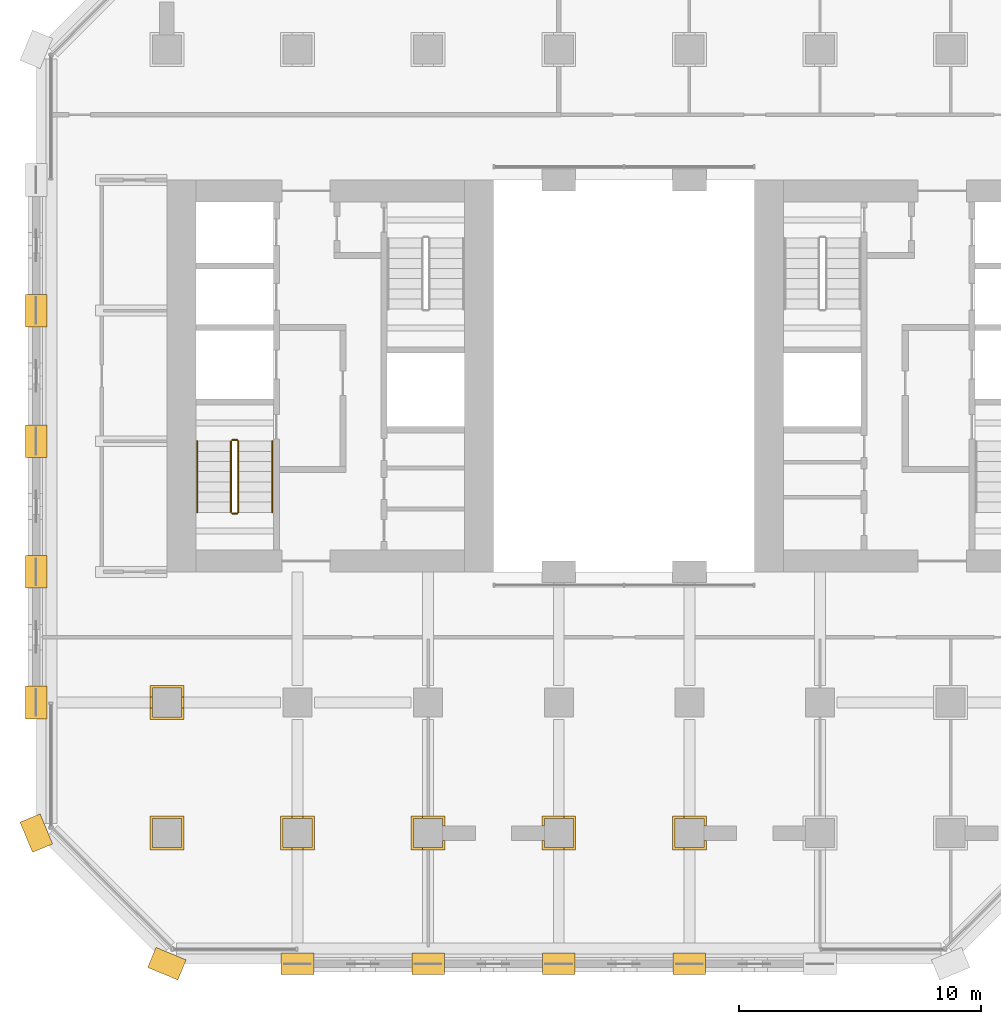
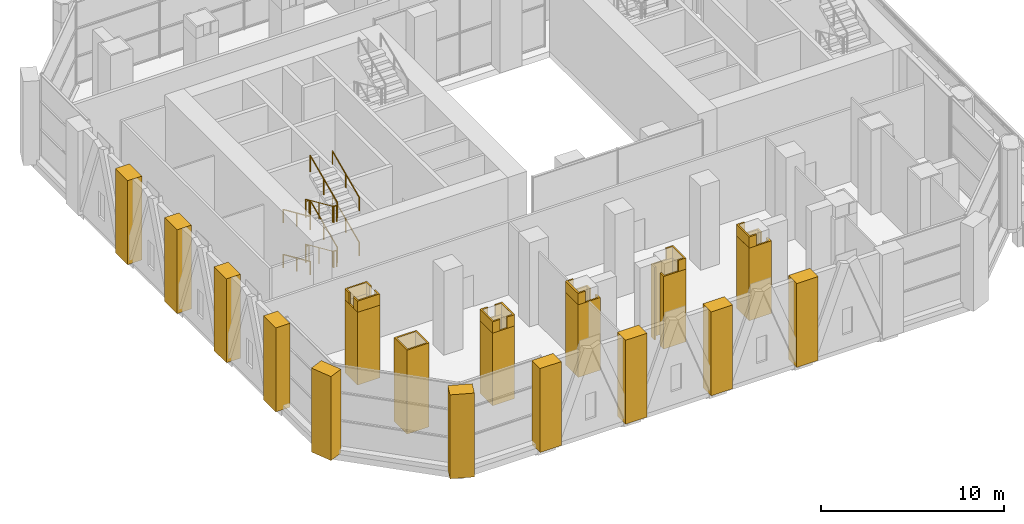
# One storey, part 23 of 34: 23 coverings, 12 railings.
"""IFC4 building model written with IfcOpenShell, lengths in metres."""

from ifc_helpers import new_model, si_unit, direction, frame, frame_2d, origin, origin_2d, place, context, subcontext, project, spatial, polyline, rectangle, circle, outline, extrude, material, layer, layer_set, type_object, element, save


model = new_model("IFC4")

# Units and contexts
model_context = context("Model", 3, precision=1e-05, world=origin(), true_north=direction((0.0, 1.0)))
body_context = subcontext(model_context, "Body", "Model", "MODEL_VIEW")
ifc_project = project(units=[si_unit("LENGTHUNIT", "METRE"), si_unit("AREAUNIT", "SQUARE_METRE"), si_unit("VOLUMEUNIT", "CUBIC_METRE"), si_unit("PLANEANGLEUNIT", "RADIAN"), si_unit("MASSUNIT", "GRAM", prefix="KILO")], contexts=[model_context])

# Site, building, storey
site_placement = place(None, origin())
site = spatial("IfcSite", under=ifc_project, at=site_placement, CompositionType="ELEMENT")
building_placement = place(site_placement, origin())
building = spatial("IfcBuilding", under=site, at=building_placement, Name="Tabaq Tower and Sports Hall", CompositionType="ELEMENT")
storey_placement = place(building_placement, frame((0.0, 0.0, 8.39990234375)))
storey = spatial("IfcBuildingStorey", under=building, at=storey_placement, Name="L01", CompositionType="ELEMENT", Elevation=8.39990234375)

# Coverings
ifc_material_1 = material(Name="Precast concrete C60/75", Category="concrete")
ifc_layer = layer(ifc_material_1, 0.10009765625)
ifc_layer_set = layer_set([ifc_layer], Name="Column cladding 100")
covering_type_1 = type_object("IfcCoveringType", Name="Column cladding 100", PredefinedType="CLADDING", material=ifc_layer_set)
covering_1_placement = place(storey_placement, origin())
element("IfcCovering", 1, at=covering_1_placement, inside=storey, type_object=covering_type_1, Name="Column cladding L01 CC-2B-P", PredefinedType="CLADDING", context=body_context, shape_type="SweptSolid", body=[
    extrude(outline(polyline([(4.7001953125, 6.099609375), (6.099609375, 6.099609375), (6.099609375, 4.7001953125), (4.7001953125, 4.7001953125), (4.7001953125, 6.099609375)]), holes=[polyline([(6.000244140625, 4.7998046875), (6.000244140625, 6.000244140625), (4.7998046875, 6.000244140625), (4.7998046875, 4.7998046875), (6.000244140625, 4.7998046875)])]), origin(), (0.0, 0.0, 1.0), 5.60009765625),
])
covering_2_placement = place(storey_placement, origin())
element("IfcCovering", 2, at=covering_2_placement, inside=storey, type_object=covering_type_1, Name="Column cladding L01 CC-2C-P", PredefinedType="CLADDING", context=body_context, shape_type="SweptSolid", body=[
    extrude(outline(polyline([(4.7001953125, 11.499755859375), (6.099609375, 11.499755859375), (6.099609375, 10.100341796875), (4.7001953125, 10.100341796875), (4.7001953125, 11.499755859375)]), holes=[polyline([(6.000244140625, 10.19970703125), (6.000244140625, 11.400390625), (4.7998046875, 11.400390625), (4.7998046875, 10.19970703125), (6.000244140625, 10.19970703125)])]), origin(), (0.0, 0.0, 1.0), 4.85009765625),
])
covering_3_placement = place(storey_placement, frame((0.0, 0.0, 4.85009765625)))
element("IfcCovering", 3, at=covering_3_placement, inside=storey, type_object=covering_type_1, Name="Column cladding L01 CC-2C-P head", PredefinedType="CLADDING", context=body_context, shape_type="SweptSolid", body=[
    extrude(outline(polyline([(4.79931640625, 10.574462890625), (4.79931640625, 10.199462890625), (6.00048828125, 10.199462890625), (6.00048828125, 10.574462890625), (6.099365234375, 10.574462890625), (6.099365234375, 10.1005859375), (4.70068359375, 10.1005859375), (4.70068359375, 10.574462890625), (4.79931640625, 10.574462890625)])), origin(), (0.0, 0.0, 1.0), 0.75),
])
covering_4_placement = place(storey_placement, frame((0.0, 0.0, 4.85009765625)))
element("IfcCovering", 4, at=covering_4_placement, inside=storey, type_object=covering_type_1, Name="Column cladding L01 CC-2C-P head 2", PredefinedType="CLADDING", context=body_context, shape_type="SweptSolid", body=[
    extrude(outline(polyline([(4.79931640625, 11.025634765625), (4.70068359375, 11.025634765625), (4.70068359375, 11.49951171875), (6.099365234375, 11.49951171875), (6.099365234375, 11.025634765625), (6.00048828125, 11.025634765625), (6.00048828125, 11.400634765625), (4.79931640625, 11.400634765625), (4.79931640625, 11.025634765625)])), origin(), (0.0, 0.0, 1.0), 0.75),
])
covering_5_placement = place(storey_placement, origin())
element("IfcCovering", 5, at=covering_5_placement, inside=storey, type_object=covering_type_1, Name="Column cladding L01 CC-3B-P", PredefinedType="CLADDING", context=body_context, shape_type="SweptSolid", body=[
    extrude(outline(polyline([(10.100341796875, 6.099609375), (11.499755859375, 6.099609375), (11.499755859375, 4.7001953125), (10.100341796875, 4.7001953125), (10.100341796875, 6.099609375)]), holes=[polyline([(11.400390625, 4.7998046875), (11.400390625, 6.000244140625), (10.19970703125, 6.000244140625), (10.19970703125, 4.7998046875), (11.400390625, 4.7998046875)])]), origin(), (0.0, 0.0, 1.0), 4.85009765625),
])
covering_6_placement = place(storey_placement, frame((0.0, 0.0, 4.85009765625)))
element("IfcCovering", 6, at=covering_6_placement, inside=storey, type_object=covering_type_1, Name="Column cladding L01 CC-3B-P head", PredefinedType="CLADDING", context=body_context, shape_type="SweptSolid", body=[
    extrude(outline(polyline([(10.574462890625, 4.79931640625), (10.574462890625, 4.70068359375), (10.1005859375, 4.70068359375), (10.1005859375, 6.099365234375), (10.574462890625, 6.099365234375), (10.574462890625, 6.00048828125), (10.199462890625, 6.00048828125), (10.199462890625, 4.79931640625), (10.574462890625, 4.79931640625)])), origin(), (0.0, 0.0, 1.0), 0.75),
])
covering_7_placement = place(storey_placement, frame((0.0, 0.0, 4.85009765625)))
element("IfcCovering", 7, at=covering_7_placement, inside=storey, type_object=covering_type_1, Name="Column cladding L01 CC-3B-P head 2", PredefinedType="CLADDING", context=body_context, shape_type="SweptSolid", body=[
    extrude(outline(polyline([(11.025634765625, 4.79931640625), (11.400634765625, 4.79931640625), (11.400634765625, 6.00048828125), (11.025634765625, 6.00048828125), (11.025634765625, 6.099365234375), (11.49951171875, 6.099365234375), (11.49951171875, 4.70068359375), (11.025634765625, 4.70068359375), (11.025634765625, 4.79931640625)])), origin(), (0.0, 0.0, 1.0), 0.75),
])
covering_8_placement = place(storey_placement, origin())
element("IfcCovering", 8, at=covering_8_placement, inside=storey, type_object=covering_type_1, Name="Column cladding L01 CC-4B-P", PredefinedType="CLADDING", context=body_context, shape_type="SweptSolid", body=[
    extrude(outline(polyline([(16.899658203125, 6.099609375), (16.899658203125, 5.7001953125), (16.80029296875, 5.7001953125), (16.80029296875, 6.000244140625), (15.599609375, 6.000244140625), (15.599609375, 4.7998046875), (16.80029296875, 4.7998046875), (16.80029296875, 5.099609375), (16.899658203125, 5.099609375), (16.899658203125, 4.7001953125), (15.500244140625, 4.7001953125), (15.500244140625, 6.099609375), (16.899658203125, 6.099609375)])), origin(), (0.0, 0.0, 1.0), 4.85009765625),
])
covering_9_placement = place(storey_placement, frame((0.0, 0.0, 4.85009765625)))
element("IfcCovering", 9, at=covering_9_placement, inside=storey, type_object=covering_type_1, Name="Column cladding L01 CC-4B-P head", PredefinedType="CLADDING", context=body_context, shape_type="SweptSolid", body=[
    extrude(outline(polyline([(15.599365234375, 6.00048828125), (15.599365234375, 4.79931640625), (15.974365234375, 4.79931640625), (15.974365234375, 4.70068359375), (15.50048828125, 4.70068359375), (15.50048828125, 6.099365234375), (15.974365234375, 6.099365234375), (15.974365234375, 6.00048828125), (15.599365234375, 6.00048828125)])), origin(), (0.0, 0.0, 1.0), 0.75),
])
covering_10_placement = place(storey_placement, origin())
element("IfcCovering", 10, at=covering_10_placement, inside=storey, type_object=covering_type_1, Name="Column cladding L01 CC-5B-P", PredefinedType="CLADDING", context=body_context, shape_type="SweptSolid", body=[
    extrude(outline(polyline([(22.2998046875, 6.099609375), (22.2998046875, 4.7001953125), (20.900390625, 4.7001953125), (20.900390625, 5.099609375), (20.999755859375, 5.099609375), (20.999755859375, 4.7998046875), (22.2001953125, 4.7998046875), (22.2001953125, 6.000244140625), (20.999755859375, 6.000244140625), (20.999755859375, 5.7001953125), (20.900390625, 5.7001953125), (20.900390625, 6.099609375), (22.2998046875, 6.099609375)])), origin(), (0.0, 0.0, 1.0), 4.85009765625),
])
covering_11_placement = place(storey_placement, frame((0.0, 0.0, 4.85009765625)))
element("IfcCovering", 11, at=covering_11_placement, inside=storey, type_object=covering_type_1, Name="Column cladding L01 CC-5B-P head", PredefinedType="CLADDING", context=body_context, shape_type="SweptSolid", body=[
    extrude(outline(polyline([(21.82568359375, 4.79931640625), (22.20068359375, 4.79931640625), (22.20068359375, 6.00048828125), (21.82568359375, 6.00048828125), (21.82568359375, 6.099365234375), (22.29931640625, 6.099365234375), (22.29931640625, 4.70068359375), (21.82568359375, 4.70068359375), (21.82568359375, 4.79931640625)])), origin(), (0.0, 0.0, 1.0), 0.75),
])
covering_12_placement = place(storey_placement, origin())
element("IfcCovering", 12, at=covering_12_placement, inside=storey, type_object=covering_type_1, Name="Column cladding L01 CC-6B-P", PredefinedType="CLADDING", context=body_context, shape_type="SweptSolid", body=[
    extrude(outline(polyline([(27.69970703125, 6.099609375), (27.69970703125, 5.7001953125), (27.600341796875, 5.7001953125), (27.600341796875, 6.000244140625), (26.399658203125, 6.000244140625), (26.399658203125, 4.7998046875), (27.600341796875, 4.7998046875), (27.600341796875, 5.099609375), (27.69970703125, 5.099609375), (27.69970703125, 4.7001953125), (26.30029296875, 4.7001953125), (26.30029296875, 6.099609375), (27.69970703125, 6.099609375)])), origin(), (0.0, 0.0, 1.0), 4.85009765625),
])
covering_13_placement = place(storey_placement, frame((0.0, 0.0, 4.85009765625)))
element("IfcCovering", 13, at=covering_13_placement, inside=storey, type_object=covering_type_1, Name="Column cladding L01 CC-6B-P head", PredefinedType="CLADDING", context=body_context, shape_type="SweptSolid", body=[
    extrude(outline(polyline([(26.3994140625, 6.00048828125), (26.3994140625, 4.79931640625), (26.7744140625, 4.79931640625), (26.7744140625, 4.70068359375), (26.300537109375, 4.70068359375), (26.300537109375, 6.099365234375), (26.7744140625, 6.099365234375), (26.7744140625, 6.00048828125), (26.3994140625, 6.00048828125)])), origin(), (0.0, 0.0, 1.0), 0.75),
])
ifc_material_2 = material(Name="White precast concrete C60/75", Category="concrete")
covering_type_2 = type_object("IfcCoveringType", Name="Pier cladding hung 1350x900", PredefinedType="CLADDING", material=ifc_material_2)
for number, where, z_axis, x_axis, name in (
    (14, (-0.25830078125, 6.023681640625, 0.0), (0.0, 0.0, 1.0), (0.382649923473, -0.923893411637, 0.0), "Hung pier cladding 0/1"),
    (15, (0.0, 11.47509765625, 0.0), (0.0, 0.0, 1.0), (0.0, -1.0, 0.0), "Hung pier cladding 0/2"),
    (16, (0.0, 16.875, 0.0), (0.0, 0.0, 1.0), (0.0, -1.0, 0.0), "Hung pier cladding 0/3"),
):
    element("IfcCovering", number, at=place(storey_placement, frame(where, z_axis=z_axis, x_axis=x_axis)), inside=storey, type_object=covering_type_2, Name=name, PredefinedType="CLADDING", context=body_context, shape_type="SweptSolid", body=[
        extrude(rectangle(XDim=1.35009765625, YDim=0.89990234375, at=frame_2d((0.675048828125, 0.0))), origin(), (0.0, 0.0, 1.0), 5.60009765625),
    ])
covering_14_placement = place(storey_placement, frame((0.0, 22.27490234375, 0.0), z_axis=(0.0, 0.0, 1.0), x_axis=(0.0, -1.0, 0.0)))
element("IfcCovering", 17, at=covering_14_placement, inside=storey, type_object=covering_type_2, Name="Hung pier cladding 0/4", PredefinedType="CLADDING", context=body_context, shape_type="SweptSolid", body=[
    extrude(rectangle(XDim=1.349853515625, YDim=0.89990234375, at=frame_2d((0.6748046875, 0.0))), origin(), (0.0, 0.0, 1.0), 5.60009765625),
])
for number, where, z_axis, x_axis, name in (
    (18, (0.0, 27.675048828125, 0.0), (0.0, 0.0, 1.0), (0.0, -1.0, 0.0), "Hung pier cladding 0/5"),
    (19, (4.7763671875, 0.25830078125, 0.0), (0.0, 0.0, 1.0), (0.923893411637, -0.382649923473, 0.0), "Hung pier cladding 1/0"),
    (20, (10.125, 0.0, 0.0), (0.0, 0.0, 1.0), (1.0, 0.0, 0.0), "Hung pier cladding 2/0"),
    (21, (15.52490234375, 0.0, 0.0), (0.0, 0.0, 1.0), (1.0, 0.0, 0.0), "Hung pier cladding 3/0"),
):
    element("IfcCovering", number, at=place(storey_placement, frame(where, z_axis=z_axis, x_axis=x_axis)), inside=storey, type_object=covering_type_2, Name=name, PredefinedType="CLADDING", context=body_context, shape_type="SweptSolid", body=[
        extrude(rectangle(XDim=1.35009765625, YDim=0.89990234375, at=frame_2d((0.675048828125, 0.0))), origin(), (0.0, 0.0, 1.0), 5.60009765625),
    ])
covering_15_placement = place(storey_placement, frame((20.925048828125, 0.0, 0.0), z_axis=(0.0, 0.0, 1.0), x_axis=(1.0, 0.0, 0.0)))
element("IfcCovering", 22, at=covering_15_placement, inside=storey, type_object=covering_type_2, Name="Hung pier cladding 4/0", PredefinedType="CLADDING", context=body_context, shape_type="SweptSolid", body=[
    extrude(rectangle(XDim=1.349853515625, YDim=0.89990234375, at=frame_2d((0.6748046875, 0.0))), origin(), (0.0, 0.0, 1.0), 5.60009765625),
])
covering_16_placement = place(storey_placement, frame((26.324951171875, 0.0, 0.0), z_axis=(0.0, 0.0, 1.0), x_axis=(1.0, 0.0, 0.0)))
element("IfcCovering", 23, at=covering_16_placement, inside=storey, type_object=covering_type_2, Name="Hung pier cladding 5/0", PredefinedType="CLADDING", context=body_context, shape_type="SweptSolid", body=[
    extrude(rectangle(XDim=1.35009765625, YDim=0.89990234375, at=frame_2d((0.675048828125, 0.0))), origin(), (0.0, 0.0, 1.0), 5.60009765625),
])

# Railings
ifc_material_3 = material(Name="Stainless steel", Category="steel")
railing_type_1 = type_object("IfcRailingType", Name="Stair guard", PredefinedType="GUARDRAIL", material=ifc_material_3)
railing_1_placement = place(storey_placement, frame((8.050048828125, 21.60009765625, 0.1875)))
element("IfcRailing", 24, at=railing_1_placement, inside=storey, type_object=railing_type_1, Name="L01 ST1 stair guard 1", PredefinedType="GUARDRAIL", context=body_context, shape_type="SweptSolid", body=[
    extrude(circle(Radius=0.02392578125, at=origin_2d()), frame((0.0, 0.0, 1.076171875), z_axis=(0.0, -0.913147458458, 0.407629389411), x_axis=(1.0, 0.0, 0.0)), (0.0, 0.0, 1.0), 3.2197265625),
    extrude(circle(Radius=0.02099609375, at=origin_2d()), origin(), (0.0, 0.0, 1.0), 1.052001953125),
    extrude(circle(Radius=0.02099609375, at=origin_2d()), frame((0.0, -1.47021484375, 0.65625)), (0.0, 0.0, 1.0), 1.052001953125),
    extrude(circle(Radius=0.02099609375, at=origin_2d()), frame((0.0, -2.940185546875, 1.3125)), (0.0, 0.0, 1.0), 1.052001953125),
])
railing_2_placement = place(storey_placement, frame((8.10009765625, 18.610107421875, 1.5)))
element("IfcRailing", 25, at=railing_2_placement, inside=storey, type_object=railing_type_1, Name="L01 ST1 stair guard 2", PredefinedType="GUARDRAIL", context=body_context, shape_type="SweptSolid", body=[
    extrude(circle(Radius=0.02392578125, at=origin_2d()), frame((0.0, 0.0, 1.076171875), z_axis=(1.0, 0.0, 0.0), x_axis=(0.0, 1.0, 0.0)), (0.0, 0.0, 1.0), 0.199951171875),
    extrude(circle(Radius=0.02099609375, at=origin_2d()), origin(), (0.0, 0.0, 1.0), 1.052001953125),
    extrude(circle(Radius=0.02099609375, at=origin_2d()), frame((0.199951171875, 0.0, 0.0)), (0.0, 0.0, 1.0), 1.052001953125),
])
railing_3_placement = place(storey_placement, frame((8.35009765625, 18.659912109375, 1.6875)))
element("IfcRailing", 26, at=railing_3_placement, inside=storey, type_object=railing_type_1, Name="L01 ST1 stair guard 3", PredefinedType="GUARDRAIL", context=body_context, shape_type="SweptSolid", body=[
    extrude(circle(Radius=0.02392578125, at=origin_2d()), frame((0.0, 0.0, 1.076171875), z_axis=(0.0, 0.913147458458, 0.407629389411), x_axis=(-1.0, 0.0, 0.0)), (0.0, 0.0, 1.0), 3.2197265625),
    extrude(circle(Radius=0.02099609375, at=origin_2d()), origin(), (0.0, 0.0, 1.0), 1.052001953125),
    extrude(circle(Radius=0.02099609375, at=origin_2d()), frame((0.0, 1.47021484375, 0.65625)), (0.0, 0.0, 1.0), 1.052001953125),
    extrude(circle(Radius=0.02099609375, at=origin_2d()), frame((0.0, 2.940185546875, 1.3125)), (0.0, 0.0, 1.0), 1.052001953125),
])
railing_4_placement = place(storey_placement, frame((8.10009765625, 21.64990234375, 3.0)))
element("IfcRailing", 27, at=railing_4_placement, inside=storey, type_object=railing_type_1, Name="L01 ST1 stair guard 4", PredefinedType="GUARDRAIL", context=body_context, shape_type="SweptSolid", body=[
    extrude(circle(Radius=0.02392578125, at=origin_2d()), frame((0.0, 0.0, 1.076171875), z_axis=(1.0, 0.0, 0.0), x_axis=(0.0, 1.0, 0.0)), (0.0, 0.0, 1.0), 0.199951171875),
    extrude(circle(Radius=0.02099609375, at=origin_2d()), origin(), (0.0, 0.0, 1.0), 1.052001953125),
    extrude(circle(Radius=0.02099609375, at=origin_2d()), frame((0.199951171875, 0.0, 0.0)), (0.0, 0.0, 1.0), 1.052001953125),
])
railing_5_placement = place(storey_placement, frame((8.050048828125, 21.60009765625, 3.1875)))
element("IfcRailing", 28, at=railing_5_placement, inside=storey, type_object=railing_type_1, Name="L01 ST1 stair guard 5", PredefinedType="GUARDRAIL", context=body_context, shape_type="SweptSolid", body=[
    extrude(circle(Radius=0.02392578125, at=origin_2d()), frame((0.0, 0.0, 1.076171875), z_axis=(0.0, -0.913147458458, 0.407629389411), x_axis=(1.0, 0.0, 0.0)), (0.0, 0.0, 1.0), 3.2197265625),
    extrude(circle(Radius=0.02099609375, at=origin_2d()), origin(), (0.0, 0.0, 1.0), 1.052001953125),
    extrude(circle(Radius=0.02099609375, at=origin_2d()), frame((0.0, -1.47021484375, 0.65625)), (0.0, 0.0, 1.0), 1.052001953125),
    extrude(circle(Radius=0.02099609375, at=origin_2d()), frame((0.0, -2.940185546875, 1.3125)), (0.0, 0.0, 1.0), 1.052001953125),
])
railing_6_placement = place(storey_placement, frame((8.10009765625, 18.610107421875, 4.5)))
element("IfcRailing", 29, at=railing_6_placement, inside=storey, type_object=railing_type_1, Name="L01 ST1 stair guard 6", PredefinedType="GUARDRAIL", context=body_context, shape_type="SweptSolid", body=[
    extrude(circle(Radius=0.02392578125, at=origin_2d()), frame((0.0, 0.0, 1.076171875), z_axis=(1.0, 0.0, 0.0), x_axis=(0.0, 1.0, 0.0)), (0.0, 0.0, 1.0), 0.199951171875),
    extrude(circle(Radius=0.02099609375, at=origin_2d()), origin(), (0.0, 0.0, 1.0), 1.052001953125),
    extrude(circle(Radius=0.02099609375, at=origin_2d()), frame((0.199951171875, 0.0, 0.0)), (0.0, 0.0, 1.0), 1.052001953125),
])
railing_7_placement = place(storey_placement, frame((8.35009765625, 18.659912109375, 4.6875)))
element("IfcRailing", 30, at=railing_7_placement, inside=storey, type_object=railing_type_1, Name="L01 ST1 stair guard 7", PredefinedType="GUARDRAIL", context=body_context, shape_type="SweptSolid", body=[
    extrude(circle(Radius=0.02392578125, at=origin_2d()), frame((0.0, 0.0, 1.076171875), z_axis=(0.0, 0.913147458458, 0.407629389411), x_axis=(-1.0, 0.0, 0.0)), (0.0, 0.0, 1.0), 3.2197265625),
    extrude(circle(Radius=0.02099609375, at=origin_2d()), origin(), (0.0, 0.0, 1.0), 1.052001953125),
    extrude(circle(Radius=0.02099609375, at=origin_2d()), frame((0.0, 1.47021484375, 0.65625)), (0.0, 0.0, 1.0), 1.052001953125),
    extrude(circle(Radius=0.02099609375, at=origin_2d()), frame((0.0, 2.940185546875, 1.3125)), (0.0, 0.0, 1.0), 1.052001953125),
])
railing_8_placement = place(storey_placement, frame((8.10009765625, 21.64990234375, 0.0)))
element("IfcRailing", 31, at=railing_8_placement, inside=storey, type_object=railing_type_1, Name="L01 ST1 stair guard 8", PredefinedType="GUARDRAIL", context=body_context, shape_type="SweptSolid", body=[
    extrude(circle(Radius=0.02392578125, at=origin_2d()), frame((0.0, 0.0, 1.076171875), z_axis=(1.0, 0.0, 0.0), x_axis=(0.0, 1.0, 0.0)), (0.0, 0.0, 1.0), 0.199951171875),
    extrude(circle(Radius=0.02099609375, at=origin_2d()), origin(), (0.0, 0.0, 1.0), 1.052001953125),
    extrude(circle(Radius=0.02099609375, at=origin_2d()), frame((0.199951171875, 0.0, 0.0)), (0.0, 0.0, 1.0), 1.052001953125),
])
ifc_material_4 = material(Name="Stainless steel", Category="steel")
railing_type_2 = type_object("IfcRailingType", Name="Stair handrail", PredefinedType="HANDRAIL", material=ifc_material_4)
railing_9_placement = place(storey_placement, frame((6.64990234375, 21.60009765625, 0.1875)))
element("IfcRailing", 32, at=railing_9_placement, inside=storey, type_object=railing_type_2, Name="L01 ST1 stair handrail 1", PredefinedType="HANDRAIL", context=body_context, shape_type="SweptSolid", body=[
    extrude(circle(Radius=0.02392578125, at=origin_2d()), frame((0.0, 0.0, 0.8759765625), z_axis=(0.0, -0.913147458458, 0.407629389411), x_axis=(1.0, 0.0, 0.0)), (0.0, 0.0, 1.0), 3.2197265625),
    extrude(circle(Radius=0.02099609375, at=origin_2d()), origin(), (0.0, 0.0, 1.0), 0.851806640625),
    extrude(circle(Radius=0.02099609375, at=origin_2d()), frame((0.0, -1.47021484375, 0.65625)), (0.0, 0.0, 1.0), 0.851806640625),
    extrude(circle(Radius=0.02099609375, at=origin_2d()), frame((0.0, -2.940185546875, 1.3125)), (0.0, 0.0, 1.0), 0.851806640625),
])
railing_10_placement = place(storey_placement, frame((9.75, 18.659912109375, 1.6875)))
element("IfcRailing", 33, at=railing_10_placement, inside=storey, type_object=railing_type_2, Name="L01 ST1 stair handrail 2", PredefinedType="HANDRAIL", context=body_context, shape_type="SweptSolid", body=[
    extrude(circle(Radius=0.02392578125, at=origin_2d()), frame((0.0, 0.0, 0.8759765625), z_axis=(0.0, 0.913147458458, 0.407629389411), x_axis=(-1.0, 0.0, 0.0)), (0.0, 0.0, 1.0), 3.2197265625),
    extrude(circle(Radius=0.02099609375, at=origin_2d()), origin(), (0.0, 0.0, 1.0), 0.851806640625),
    extrude(circle(Radius=0.02099609375, at=origin_2d()), frame((0.0, 1.47021484375, 0.65625)), (0.0, 0.0, 1.0), 0.851806640625),
    extrude(circle(Radius=0.02099609375, at=origin_2d()), frame((0.0, 2.940185546875, 1.3125)), (0.0, 0.0, 1.0), 0.851806640625),
])
railing_11_placement = place(storey_placement, frame((6.64990234375, 21.60009765625, 3.1875)))
element("IfcRailing", 34, at=railing_11_placement, inside=storey, type_object=railing_type_2, Name="L01 ST1 stair handrail 3", PredefinedType="HANDRAIL", context=body_context, shape_type="SweptSolid", body=[
    extrude(circle(Radius=0.02392578125, at=origin_2d()), frame((0.0, 0.0, 0.8759765625), z_axis=(0.0, -0.913147458458, 0.407629389411), x_axis=(1.0, 0.0, 0.0)), (0.0, 0.0, 1.0), 3.2197265625),
    extrude(circle(Radius=0.02099609375, at=origin_2d()), origin(), (0.0, 0.0, 1.0), 0.851806640625),
    extrude(circle(Radius=0.02099609375, at=origin_2d()), frame((0.0, -1.47021484375, 0.65625)), (0.0, 0.0, 1.0), 0.851806640625),
    extrude(circle(Radius=0.02099609375, at=origin_2d()), frame((0.0, -2.940185546875, 1.3125)), (0.0, 0.0, 1.0), 0.851806640625),
])
railing_12_placement = place(storey_placement, frame((9.75, 18.659912109375, 4.6875)))
element("IfcRailing", 35, at=railing_12_placement, inside=storey, type_object=railing_type_2, Name="L01 ST1 stair handrail 4", PredefinedType="HANDRAIL", context=body_context, shape_type="SweptSolid", body=[
    extrude(circle(Radius=0.02392578125, at=origin_2d()), frame((0.0, 0.0, 0.8759765625), z_axis=(0.0, 0.913147458458, 0.407629389411), x_axis=(-1.0, 0.0, 0.0)), (0.0, 0.0, 1.0), 3.2197265625),
    extrude(circle(Radius=0.02099609375, at=origin_2d()), origin(), (0.0, 0.0, 1.0), 0.851806640625),
    extrude(circle(Radius=0.02099609375, at=origin_2d()), frame((0.0, 1.47021484375, 0.65625)), (0.0, 0.0, 1.0), 0.851806640625),
    extrude(circle(Radius=0.02099609375, at=origin_2d()), frame((0.0, 2.940185546875, 1.3125)), (0.0, 0.0, 1.0), 0.851806640625),
])

save(model, "model.ifc")
